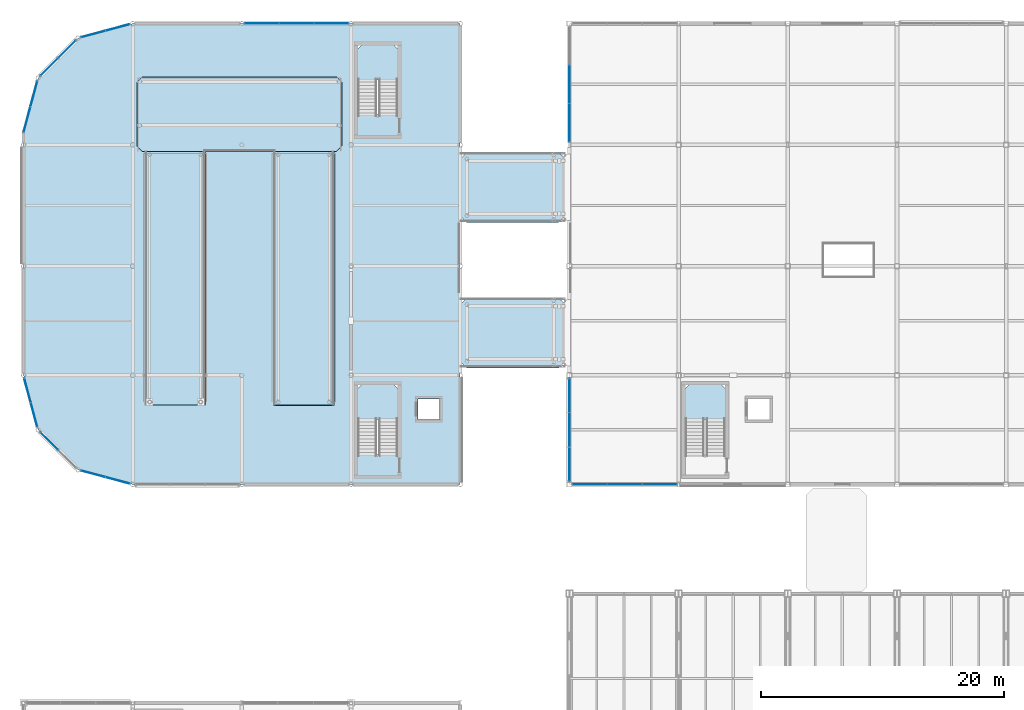
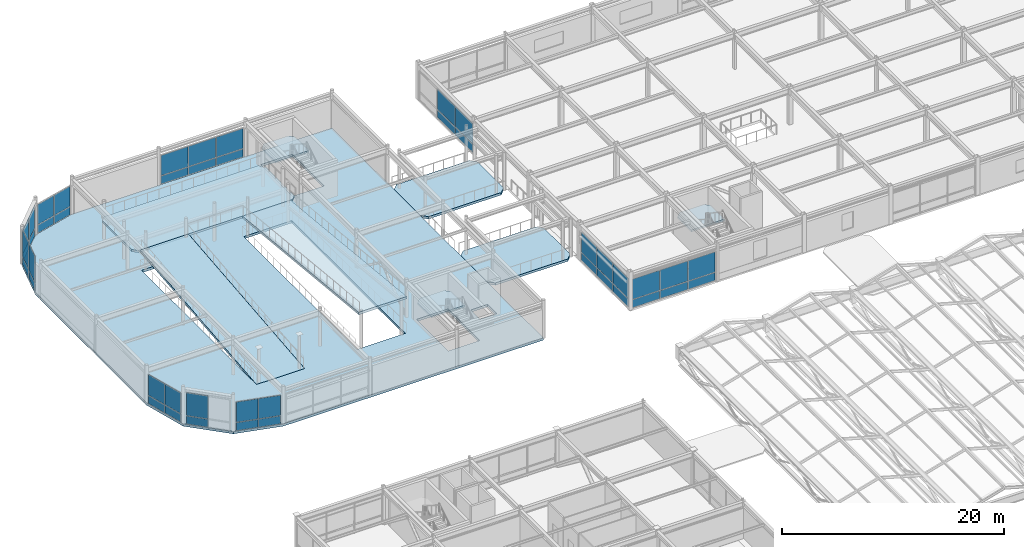
# One storey, part 65 of 108: 44 plates, 9 slabs, 13 elements without a shape of their own.
"""IFC4 building model written with IfcOpenShell, lengths in metres."""

from ifc_helpers import new_model, si_unit, direction, frame, origin, origin_2d, place, context, subcontext, project, spatial, polyline, rectangle, outline, extrude, material, layer, layer_set, type_object, element, aggregate, save


model = new_model("IFC4")

# Units and contexts
model_context = context("Model", 3, precision=1e-05, world=origin(), true_north=direction((0.0, 1.0)))
body_context = subcontext(model_context, "Body", "Model", "MODEL_VIEW")
ifc_project = project(units=[si_unit("LENGTHUNIT", "METRE"), si_unit("AREAUNIT", "SQUARE_METRE"), si_unit("VOLUMEUNIT", "CUBIC_METRE"), si_unit("PLANEANGLEUNIT", "RADIAN"), si_unit("MASSUNIT", "GRAM", prefix="KILO")], contexts=[model_context])

# Site, building, storey
site_placement = place(None, origin())
site = spatial("IfcSite", under=ifc_project, at=site_placement, CompositionType="ELEMENT")
building_placement = place(site_placement, origin())
building = spatial("IfcBuilding", under=site, at=building_placement, Name="Suzunagisa Mobility Hub", CompositionType="ELEMENT")
storey_placement = place(building_placement, frame((0.0, 0.0, 9.300048828125)))
storey = spatial("IfcBuildingStorey", under=building, at=storey_placement, Name="L02", CompositionType="ELEMENT", Elevation=9.300048828125)

# Slabs
ifc_material_1 = material(Name="Concrete C35/45", Category="concrete")
ifc_layer_1 = layer(ifc_material_1, 0.260009765625)
ifc_layer_set_1 = layer_set([ifc_layer_1], Name="Concrete C35/45")
slab_type_1 = type_object("IfcSlabType", Name="Composite Slab SL-12 260mm", PredefinedType="FLOOR", material=ifc_layer_set_1)
slab_1_placement = place(storey_placement, frame((0.0, 0.0, -0.260009765625)))
element("IfcSlab", 1, at=slab_1_placement, inside=storey, type_object=slab_type_1, Name="L02 V2 Floor Slab", PredefinedType="FLOOR", context=body_context, shape_type="SweptSolid", body=[
    extrude(outline(polyline([(0.0, 89.0), (1.205810546875, 84.5), (4.5, 81.205810546875), (9.0, 80.0), (36.0, 80.0), (36.0, 118.0), (9.0, 118.0), (4.5, 116.794189453125), (1.205810546875, 113.5), (0.0, 109.0), (0.0, 89.0)]), holes=[polyline([(27.56005859375, 82.47998046875), (30.840087890625, 82.47998046875), (30.840087890625, 88.199951171875), (27.56005859375, 88.199951171875), (27.56005859375, 82.47998046875)]), polyline([(32.52001953125, 85.3701171875), (34.280029296875, 85.3701171875), (34.280029296875, 87.030029296875), (32.52001953125, 87.030029296875), (32.52001953125, 85.3701171875)]), polyline([(27.56005859375, 110.47998046875), (30.840087890625, 110.47998046875), (30.840087890625, 116.199951171875), (27.56005859375, 116.199951171875), (27.56005859375, 110.47998046875)]), polyline([(10.0, 86.800048828125), (15.0, 86.800048828125), (15.0, 107.199951171875), (10.0, 107.199951171875), (10.0, 86.800048828125)]), polyline([(20.60009765625, 86.800048828125), (25.60009765625, 86.800048828125), (25.60009765625, 107.199951171875), (20.60009765625, 107.199951171875), (20.60009765625, 86.800048828125)])]), origin(), (0.0, 0.0, 1.0), 0.260009765625),
])
slab_2_placement = place(storey_placement, frame((0.0, 0.0, -0.260009765625)))
element("IfcSlab", 2, at=slab_2_placement, inside=storey, type_object=slab_type_1, Name="L02 Bridge Deck VRL-L02-S", PredefinedType="FLOOR", context=body_context, shape_type="SweptSolid", body=[
    extrude(outline(polyline([(36.550048828125, 89.60009765625), (44.10009765625, 89.60009765625), (44.64990234375, 90.14990234375), (44.64990234375, 94.85009765625), (44.10009765625, 95.39990234375), (36.550048828125, 95.39990234375), (36.0, 94.85009765625), (36.0, 90.14990234375), (36.550048828125, 89.60009765625)])), origin(), (0.0, 0.0, 1.0), 0.260009765625),
])
slab_3_placement = place(storey_placement, frame((0.0, 0.0, -0.260009765625)))
element("IfcSlab", 3, at=slab_3_placement, inside=storey, type_object=slab_type_1, Name="L02 Bridge Deck VRL-L02-N", PredefinedType="FLOOR", context=body_context, shape_type="SweptSolid", body=[
    extrude(outline(polyline([(36.550048828125, 101.60009765625), (44.10009765625, 101.60009765625), (44.64990234375, 102.14990234375), (44.64990234375, 106.85009765625), (44.10009765625, 107.39990234375), (36.550048828125, 107.39990234375), (36.0, 106.85009765625), (36.0, 102.14990234375), (36.550048828125, 101.60009765625)])), origin(), (0.0, 0.0, 1.0), 0.260009765625),
])
ifc_layer_2 = layer(ifc_material_1, 0.25)
ifc_layer_set_2 = layer_set([ifc_layer_2], Name="Concrete C35/45")
slab_type_2 = type_object("IfcSlabType", Name="Composite Slab SL-13 250mm", PredefinedType="FLOOR", material=ifc_layer_set_2)
slab_4_placement = place(storey_placement, frame((0.0, 0.0, 1.849853515625)))
element("IfcSlab", 4, at=slab_4_placement, inside=storey, type_object=slab_type_2, Name="L02 Vehicle Ramp Turn Deck VR-05-L1", PredefinedType="FLOOR", context=body_context, shape_type="SweptSolid", body=[
    extrude(outline(polyline([(9.800048828125, 107.449951171875), (25.800048828125, 107.449951171875), (26.25, 107.89990234375), (26.25, 113.14990234375), (25.800048828125, 113.60009765625), (9.800048828125, 113.60009765625), (9.35009765625, 113.14990234375), (9.35009765625, 107.89990234375), (9.800048828125, 107.449951171875)])), origin(), (0.0, 0.0, 1.0), 0.25),
])
ifc_layer_3 = layer(ifc_material_1, 0.25)
ifc_layer_set_3 = layer_set([ifc_layer_3], Name="Concrete C35/45")
slab_type_3 = type_object("IfcSlabType", Name="Composite Slab SL-19 250mm", PredefinedType="FLOOR", material=ifc_layer_set_3)
slab_5_placement = place(storey_placement, frame((10.0, 86.550048828125, 0.0), z_axis=(0.0, -0.099968624446, 0.994990589969), x_axis=(1.0, 0.0, 0.0)))
element("IfcSlab", 5, at=slab_5_placement, inside=storey, type_object=slab_type_3, Name="L02 Vehicle Ramp Slab VR-05-F1", PredefinedType="FLOOR", context=body_context, shape_type="SweptSolid", body=[
    extrude(outline(polyline([(0.0, 0.0), (5.0, 0.0), (5.0, 21.005125630792342), (0.0, 21.005125630792342), (0.0, 0.0)])), origin(), (0.0, 0.0, -1.0), 0.25),
])
slab_6_placement = place(storey_placement, frame((20.60009765625, 107.449951171875, 2.099853515625), z_axis=(0.0, 0.099980131177, 0.994989433798), x_axis=(1.0, 0.0, 0.0)))
element("IfcSlab", 6, at=slab_6_placement, inside=storey, type_object=slab_type_3, Name="L02 Vehicle Ramp Slab VR-05-F2", PredefinedType="FLOOR", context=body_context, shape_type="SweptSolid", body=[
    extrude(outline(polyline([(0.0, 0.0), (5.0, 0.0), (5.0, -21.005150038599428), (0.0, -21.005150038599428), (0.0, 0.0)])), origin(), (0.0, 0.0, -1.0), 0.25),
])

# Stair, slab
stair_type_1 = type_object("IfcStairType", Name="Dog-Leg Core Escape Stair ST-05 W1560", PredefinedType="HALF_TURN_STAIR", material=ifc_material_1)
stair_1_placement = place(storey_placement, origin())
stair_1 = element("IfcStair", 7, at=stair_1_placement, inside=storey, type_object=stair_type_1, Name="L02 Core C6 Escape Stair ST-05", PredefinedType="HALF_TURN_STAIR")
ifc_layer_4 = layer(ifc_material_1, 0.199951171875)
ifc_layer_set_4 = layer_set([ifc_layer_4], Name="Concrete C35/45")
slab_type_4 = type_object("IfcSlabType", Name="Core Stair Half-Landing Slab SL-SLND", PredefinedType="LANDING", material=ifc_layer_set_4)
slab_7_placement = place(storey_placement, frame((0.0, 0.0, 1.89990234375)))
slab_7 = element("IfcSlab", 8, at=slab_7_placement, type_object=slab_type_4, Name="ST-05 landing 1", PredefinedType="LANDING", context=body_context, shape_type="SweptSolid", body=[
    extrude(outline(polyline([(27.4599609375, 85.360107421875), (30.93994140625, 85.360107421875), (30.93994140625, 87.820068359375), (30.4599609375, 88.300048828125), (27.93994140625, 88.300048828125), (27.4599609375, 87.820068359375), (27.4599609375, 85.360107421875)])), origin(), (0.0, 0.0, 1.0), 0.199951171875),
])
aggregate(stair_1, [slab_7])

stair_type_2 = type_object("IfcStairType", Name="Dog-Leg Core Escape Stair ST-06 W1560", PredefinedType="HALF_TURN_STAIR", material=ifc_material_1)
stair_2_placement = place(storey_placement, origin())
stair_2 = element("IfcStair", 9, at=stair_2_placement, inside=storey, type_object=stair_type_2, Name="L02 Core C6B Escape Stair ST-06", PredefinedType="HALF_TURN_STAIR")
slab_8_placement = place(storey_placement, frame((0.0, 0.0, 1.89990234375)))
slab_8 = element("IfcSlab", 10, at=slab_8_placement, type_object=slab_type_4, Name="ST-06 landing 1", PredefinedType="LANDING", context=body_context, shape_type="SweptSolid", body=[
    extrude(outline(polyline([(27.4599609375, 113.360107421875), (30.93994140625, 113.360107421875), (30.93994140625, 115.820068359375), (30.4599609375, 116.300048828125), (27.93994140625, 116.300048828125), (27.4599609375, 115.820068359375), (27.4599609375, 113.360107421875)])), origin(), (0.0, 0.0, 1.0), 0.199951171875),
])
aggregate(stair_2, [slab_8])

stair_type_3 = type_object("IfcStairType", Name="Dog-Leg Core Escape Stair ST-07 W1560", PredefinedType="HALF_TURN_STAIR", material=ifc_material_1)
stair_3_placement = place(storey_placement, origin())
stair_3 = element("IfcStair", 11, at=stair_3_placement, inside=storey, type_object=stair_type_3, Name="L02 Core C3 Escape Stair ST-07", PredefinedType="HALF_TURN_STAIR")
slab_9_placement = place(storey_placement, frame((0.0, 0.0, 1.89990234375)))
slab_9 = element("IfcSlab", 12, at=slab_9_placement, type_object=slab_type_4, Name="ST-07 landing 1", PredefinedType="LANDING", context=body_context, shape_type="SweptSolid", body=[
    extrude(outline(polyline([(54.4599609375, 85.360107421875), (57.93994140625, 85.360107421875), (57.93994140625, 87.820068359375), (57.4599609375, 88.300048828125), (54.93994140625, 88.300048828125), (54.4599609375, 87.820068359375), (54.4599609375, 85.360107421875)])), origin(), (0.0, 0.0, 1.0), 0.199951171875),
])
aggregate(stair_3, [slab_9])

# Curtain wall, plates
ifc_material_2 = material(Name="Thermally Broken Anodized Aluminum and Low-E Glazing", Category="aluminium")
curtain_wall_type_1 = type_object("IfcCurtainWallType", Name="Unitised Curtain Wall CW-06 4250x3300", PredefinedType="USERDEFINED", material=ifc_material_2)
curtain_wall_1_placement = place(storey_placement, origin())
curtain_wall_1 = element("IfcCurtainWall", 13, at=curtain_wall_1_placement, inside=storey, type_object=curtain_wall_type_1, Name="L02 Unitised Curtain Wall CW-63", ObjectType="UNITISED CURTAIN WALL", PredefinedType="USERDEFINED")
ifc_material_3 = material(Name="Low-E Solar-Control Double Glazing", Category="glass")
ifc_layer_5 = layer(ifc_material_3, 0.028076171875)
ifc_layer_set_5 = layer_set([ifc_layer_5], Name="Low-E Solar-Control Double Glazing")
plate_type = type_object("IfcPlateType", Name="Low-E Double Glazed Curtain Panel GP-01 28mm", PredefinedType="CURTAIN_PANEL", material=ifc_layer_set_5)
plate_1_placement = place(storey_placement, frame((0.33349609375, 87.75537109375, 0.05810546875), z_axis=(0.0, 0.0, 1.0), x_axis=(0.258803152984, -0.965930084429, 0.0)))
plate_1 = element("IfcPlate", 14, at=plate_1_placement, type_object=plate_type, Name="Curtain Wall Glazing Panel 63-P1.1", PredefinedType="CURTAIN_PANEL", context=body_context, shape_type="SweptSolid", body=[
    extrude(rectangle(XDim=2.025634765625, YDim=0.028076171875, at=origin_2d()), origin(), (0.0, 0.0, 1.0), 0.864013671875),
])
plate_2_placement = place(storey_placement, frame((0.33349609375, 87.75537109375, 0.97802734375), z_axis=(0.0, 0.0, 1.0), x_axis=(0.258803152984, -0.965930084429, 0.0)))
plate_2 = element("IfcPlate", 15, at=plate_2_placement, type_object=plate_type, Name="Curtain Wall Glazing Panel 63-P1.2", PredefinedType="CURTAIN_PANEL", context=body_context, shape_type="SweptSolid", body=[
    extrude(rectangle(XDim=2.025634765625, YDim=0.028076171875, at=origin_2d()), origin(), (0.0, 0.0, 1.0), 2.263916015625),
])
plate_3_placement = place(storey_placement, frame((0.872314453125, 85.74462890625, 0.05810546875), z_axis=(0.0, 0.0, 1.0), x_axis=(0.258803152984, -0.965930084429, 0.0)))
plate_3 = element("IfcPlate", 16, at=plate_3_placement, type_object=plate_type, Name="Curtain Wall Glazing Panel 63-P2.1", PredefinedType="CURTAIN_PANEL", context=body_context, shape_type="SweptSolid", body=[
    extrude(rectangle(XDim=2.025634765625, YDim=0.028076171875, at=origin_2d()), origin(), (0.0, 0.0, 1.0), 0.864013671875),
])
plate_4_placement = place(storey_placement, frame((0.872314453125, 85.74462890625, 0.97802734375), z_axis=(0.0, 0.0, 1.0), x_axis=(0.258803152984, -0.965930084429, 0.0)))
plate_4 = element("IfcPlate", 17, at=plate_4_placement, type_object=plate_type, Name="Curtain Wall Glazing Panel 63-P2.2", PredefinedType="CURTAIN_PANEL", context=body_context, shape_type="SweptSolid", body=[
    extrude(rectangle(XDim=2.025634765625, YDim=0.028076171875, at=origin_2d()), origin(), (0.0, 0.0, 1.0), 2.263916015625),
])
aggregate(curtain_wall_1, [plate_1, plate_2, plate_3, plate_4])

curtain_wall_type_2 = type_object("IfcCurtainWallType", Name="Unitised Curtain Wall CW-44 4250x3600", PredefinedType="USERDEFINED", material=ifc_material_2)
curtain_wall_2_placement = place(storey_placement, origin())
curtain_wall_2 = element("IfcCurtainWall", 18, at=curtain_wall_2_placement, inside=storey, type_object=curtain_wall_type_2, Name="L02 Unitised Curtain Wall CW-64", ObjectType="UNITISED CURTAIN WALL", PredefinedType="USERDEFINED")
plate_5_placement = place(storey_placement, frame((2.12890625, 83.576904296875, 0.05810546875), z_axis=(0.0, 0.0, 1.0), x_axis=(0.707106781187, -0.707106781187, 0.0)))
plate_5 = element("IfcPlate", 19, at=plate_5_placement, type_object=plate_type, Name="Curtain Wall Glazing Panel 64-P1.1", PredefinedType="CURTAIN_PANEL", context=body_context, shape_type="SweptSolid", body=[
    extrude(rectangle(XDim=1.991943359375, YDim=0.028076171875, at=origin_2d()), origin(), (0.0, 0.0, 1.0), 0.864013671875),
])
plate_6_placement = place(storey_placement, frame((2.12890625, 83.576904296875, 0.97802734375), z_axis=(0.0, 0.0, 1.0), x_axis=(0.707106781187, -0.707106781187, 0.0)))
plate_6 = element("IfcPlate", 20, at=plate_6_placement, type_object=plate_type, Name="Curtain Wall Glazing Panel 64-P1.2", PredefinedType="CURTAIN_PANEL", context=body_context, shape_type="SweptSolid", body=[
    extrude(rectangle(XDim=1.991943359375, YDim=0.028076171875, at=origin_2d()), origin(), (0.0, 0.0, 1.0), 2.513916015625),
])
aggregate(curtain_wall_2, [plate_5, plate_6])

curtain_wall_type_3 = type_object("IfcCurtainWallType", Name="Unitised Curtain Wall CW-01 4250x3200", PredefinedType="USERDEFINED", material=ifc_material_2)
curtain_wall_3_placement = place(storey_placement, origin())
curtain_wall_3 = element("IfcCurtainWall", 21, at=curtain_wall_3_placement, inside=storey, type_object=curtain_wall_type_3, Name="L02 Unitised Curtain Wall CW-65", ObjectType="UNITISED CURTAIN WALL", PredefinedType="USERDEFINED")
plate_7_placement = place(storey_placement, frame((5.74462890625, 80.872314453125, 0.05810546875), z_axis=(0.0, 0.0, 1.0), x_axis=(0.965930084429, -0.258803152984, 0.0)))
plate_7 = element("IfcPlate", 22, at=plate_7_placement, type_object=plate_type, Name="Curtain Wall Glazing Panel 65-P1.1", PredefinedType="CURTAIN_PANEL", context=body_context, shape_type="SweptSolid", body=[
    extrude(rectangle(XDim=2.025634765625, YDim=0.028076171875, at=origin_2d()), origin(), (0.0, 0.0, 1.0), 0.864013671875),
])
plate_8_placement = place(storey_placement, frame((5.74462890625, 80.872314453125, 0.97802734375), z_axis=(0.0, 0.0, 1.0), x_axis=(0.965930084429, -0.258803152984, 0.0)))
plate_8 = element("IfcPlate", 23, at=plate_8_placement, type_object=plate_type, Name="Curtain Wall Glazing Panel 65-P1.2", PredefinedType="CURTAIN_PANEL", context=body_context, shape_type="SweptSolid", body=[
    extrude(rectangle(XDim=2.025634765625, YDim=0.028076171875, at=origin_2d()), origin(), (0.0, 0.0, 1.0), 2.214111328125),
])
plate_9_placement = place(storey_placement, frame((7.75537109375, 80.33349609375, 0.05810546875), z_axis=(0.0, 0.0, 1.0), x_axis=(0.965930084429, -0.258803152984, 0.0)))
plate_9 = element("IfcPlate", 24, at=plate_9_placement, type_object=plate_type, Name="Curtain Wall Glazing Panel 65-P2.1", PredefinedType="CURTAIN_PANEL", context=body_context, shape_type="SweptSolid", body=[
    extrude(rectangle(XDim=2.025634765625, YDim=0.028076171875, at=origin_2d()), origin(), (0.0, 0.0, 1.0), 0.864013671875),
])
plate_10_placement = place(storey_placement, frame((7.75537109375, 80.33349609375, 0.97802734375), z_axis=(0.0, 0.0, 1.0), x_axis=(0.965930084429, -0.258803152984, 0.0)))
plate_10 = element("IfcPlate", 25, at=plate_10_placement, type_object=plate_type, Name="Curtain Wall Glazing Panel 65-P2.2", PredefinedType="CURTAIN_PANEL", context=body_context, shape_type="SweptSolid", body=[
    extrude(rectangle(XDim=2.025634765625, YDim=0.028076171875, at=origin_2d()), origin(), (0.0, 0.0, 1.0), 2.214111328125),
])
aggregate(curtain_wall_3, [plate_7, plate_8, plate_9, plate_10])

curtain_wall_type_4 = type_object("IfcCurtainWallType", Name="Unitised Curtain Wall CW-13 8750x3200", PredefinedType="USERDEFINED", material=ifc_material_2)
curtain_wall_4_placement = place(storey_placement, origin())
curtain_wall_4 = element("IfcCurtainWall", 26, at=curtain_wall_4_placement, inside=storey, type_object=curtain_wall_type_4, Name="L02 Unitised Curtain Wall CW-67", ObjectType="UNITISED CURTAIN WALL", PredefinedType="USERDEFINED")
plate_11_placement = place(storey_placement, frame((25.366455078125, 118.0, 0.06298828125), z_axis=(0.0, 0.0, 1.0), x_axis=(-1.0, 0.0, 0.0)))
plate_11 = element("IfcPlate", 27, at=plate_11_placement, type_object=plate_type, Name="Curtain Wall Glazing Panel 67-P1.1", PredefinedType="CURTAIN_PANEL", context=body_context, shape_type="SweptSolid", body=[
    extrude(rectangle(XDim=2.79541015625, YDim=0.028076171875, at=origin_2d()), origin(), (0.0, 0.0, 1.0), 0.8564453125),
])
plate_12_placement = place(storey_placement, frame((25.366455078125, 118.0, 0.98046875), z_axis=(0.0, 0.0, 1.0), x_axis=(-1.0, 0.0, 0.0)))
plate_12 = element("IfcPlate", 28, at=plate_12_placement, type_object=plate_type, Name="Curtain Wall Glazing Panel 67-P1.2", PredefinedType="CURTAIN_PANEL", context=body_context, shape_type="SweptSolid", body=[
    extrude(rectangle(XDim=2.79541015625, YDim=0.028076171875, at=origin_2d()), origin(), (0.0, 0.0, 1.0), 2.20654296875),
])
plate_13_placement = place(storey_placement, frame((22.5, 118.0, 0.06298828125), z_axis=(0.0, 0.0, 1.0), x_axis=(-1.0, 0.0, 0.0)))
plate_13 = element("IfcPlate", 29, at=plate_13_placement, type_object=plate_type, Name="Curtain Wall Glazing Panel 67-P2.1", PredefinedType="CURTAIN_PANEL", context=body_context, shape_type="SweptSolid", body=[
    extrude(rectangle(XDim=2.825439453125, YDim=0.028076171875, at=origin_2d()), origin(), (0.0, 0.0, 1.0), 0.8564453125),
])
plate_14_placement = place(storey_placement, frame((22.5, 118.0, 0.98046875), z_axis=(0.0, 0.0, 1.0), x_axis=(-1.0, 0.0, 0.0)))
plate_14 = element("IfcPlate", 30, at=plate_14_placement, type_object=plate_type, Name="Curtain Wall Glazing Panel 67-P2.2", PredefinedType="CURTAIN_PANEL", context=body_context, shape_type="SweptSolid", body=[
    extrude(rectangle(XDim=2.825439453125, YDim=0.028076171875, at=origin_2d()), origin(), (0.0, 0.0, 1.0), 2.20654296875),
])
plate_15_placement = place(storey_placement, frame((19.633544921875, 118.0, 0.06298828125), z_axis=(0.0, 0.0, 1.0), x_axis=(-1.0, 0.0, 0.0)))
plate_15 = element("IfcPlate", 31, at=plate_15_placement, type_object=plate_type, Name="Curtain Wall Glazing Panel 67-P3.1", PredefinedType="CURTAIN_PANEL", context=body_context, shape_type="SweptSolid", body=[
    extrude(rectangle(XDim=2.79541015625, YDim=0.028076171875, at=origin_2d()), origin(), (0.0, 0.0, 1.0), 0.8564453125),
])
plate_16_placement = place(storey_placement, frame((19.633544921875, 118.0, 0.98046875), z_axis=(0.0, 0.0, 1.0), x_axis=(-1.0, 0.0, 0.0)))
plate_16 = element("IfcPlate", 32, at=plate_16_placement, type_object=plate_type, Name="Curtain Wall Glazing Panel 67-P3.2", PredefinedType="CURTAIN_PANEL", context=body_context, shape_type="SweptSolid", body=[
    extrude(rectangle(XDim=2.79541015625, YDim=0.028076171875, at=origin_2d()), origin(), (0.0, 0.0, 1.0), 2.20654296875),
])
aggregate(curtain_wall_4, [plate_11, plate_12, plate_13, plate_14, plate_15, plate_16])

curtain_wall_5_placement = place(storey_placement, origin())
curtain_wall_5 = element("IfcCurtainWall", 33, at=curtain_wall_5_placement, inside=storey, type_object=curtain_wall_type_3, Name="L02 Unitised Curtain Wall CW-68", ObjectType="UNITISED CURTAIN WALL", PredefinedType="USERDEFINED")
plate_17_placement = place(storey_placement, frame((7.75537109375, 117.66650390625, 0.05810546875), z_axis=(0.0, 0.0, 1.0), x_axis=(-0.965930084429, -0.258803152984, 0.0)))
plate_17 = element("IfcPlate", 34, at=plate_17_placement, type_object=plate_type, Name="Curtain Wall Glazing Panel 68-P1.1", PredefinedType="CURTAIN_PANEL", context=body_context, shape_type="SweptSolid", body=[
    extrude(rectangle(XDim=2.025634765625, YDim=0.028076171875, at=origin_2d()), origin(), (0.0, 0.0, 1.0), 0.864013671875),
])
plate_18_placement = place(storey_placement, frame((7.75537109375, 117.66650390625, 0.97802734375), z_axis=(0.0, 0.0, 1.0), x_axis=(-0.965930084429, -0.258803152984, 0.0)))
plate_18 = element("IfcPlate", 35, at=plate_18_placement, type_object=plate_type, Name="Curtain Wall Glazing Panel 68-P1.2", PredefinedType="CURTAIN_PANEL", context=body_context, shape_type="SweptSolid", body=[
    extrude(rectangle(XDim=2.025634765625, YDim=0.028076171875, at=origin_2d()), origin(), (0.0, 0.0, 1.0), 2.214111328125),
])
plate_19_placement = place(storey_placement, frame((5.74462890625, 117.127685546875, 0.05810546875), z_axis=(0.0, 0.0, 1.0), x_axis=(-0.965930084429, -0.258803152984, 0.0)))
plate_19 = element("IfcPlate", 36, at=plate_19_placement, type_object=plate_type, Name="Curtain Wall Glazing Panel 68-P2.1", PredefinedType="CURTAIN_PANEL", context=body_context, shape_type="SweptSolid", body=[
    extrude(rectangle(XDim=2.025634765625, YDim=0.028076171875, at=origin_2d()), origin(), (0.0, 0.0, 1.0), 0.864013671875),
])
plate_20_placement = place(storey_placement, frame((5.74462890625, 117.127685546875, 0.97802734375), z_axis=(0.0, 0.0, 1.0), x_axis=(-0.965930084429, -0.258803152984, 0.0)))
plate_20 = element("IfcPlate", 37, at=plate_20_placement, type_object=plate_type, Name="Curtain Wall Glazing Panel 68-P2.2", PredefinedType="CURTAIN_PANEL", context=body_context, shape_type="SweptSolid", body=[
    extrude(rectangle(XDim=2.025634765625, YDim=0.028076171875, at=origin_2d()), origin(), (0.0, 0.0, 1.0), 2.214111328125),
])
aggregate(curtain_wall_5, [plate_17, plate_18, plate_19, plate_20])

curtain_wall_6_placement = place(storey_placement, origin())
curtain_wall_6 = element("IfcCurtainWall", 38, at=curtain_wall_6_placement, inside=storey, type_object=curtain_wall_type_2, Name="L02 Unitised Curtain Wall CW-69", ObjectType="UNITISED CURTAIN WALL", PredefinedType="USERDEFINED")
plate_21_placement = place(storey_placement, frame((3.576904296875, 115.87109375, 0.05810546875), z_axis=(0.0, 0.0, 1.0), x_axis=(-0.707106781187, -0.707106781187, 0.0)))
plate_21 = element("IfcPlate", 39, at=plate_21_placement, type_object=plate_type, Name="Curtain Wall Glazing Panel 69-P1.1", PredefinedType="CURTAIN_PANEL", context=body_context, shape_type="SweptSolid", body=[
    extrude(rectangle(XDim=1.991943359375, YDim=0.028076171875, at=origin_2d()), origin(), (0.0, 0.0, 1.0), 0.864013671875),
])
plate_22_placement = place(storey_placement, frame((3.576904296875, 115.87109375, 0.97802734375), z_axis=(0.0, 0.0, 1.0), x_axis=(-0.707106781187, -0.707106781187, 0.0)))
plate_22 = element("IfcPlate", 40, at=plate_22_placement, type_object=plate_type, Name="Curtain Wall Glazing Panel 69-P1.2", PredefinedType="CURTAIN_PANEL", context=body_context, shape_type="SweptSolid", body=[
    extrude(rectangle(XDim=1.991943359375, YDim=0.028076171875, at=origin_2d()), origin(), (0.0, 0.0, 1.0), 2.513916015625),
])
plate_23_placement = place(storey_placement, frame((2.12890625, 114.423095703125, 0.05810546875), z_axis=(0.0, 0.0, 1.0), x_axis=(-0.707106781187, -0.707106781187, 0.0)))
plate_23 = element("IfcPlate", 41, at=plate_23_placement, type_object=plate_type, Name="Curtain Wall Glazing Panel 69-P2.1", PredefinedType="CURTAIN_PANEL", context=body_context, shape_type="SweptSolid", body=[
    extrude(rectangle(XDim=1.991943359375, YDim=0.028076171875, at=origin_2d()), origin(), (0.0, 0.0, 1.0), 0.864013671875),
])
plate_24_placement = place(storey_placement, frame((2.12890625, 114.423095703125, 0.97802734375), z_axis=(0.0, 0.0, 1.0), x_axis=(-0.707106781187, -0.707106781187, 0.0)))
plate_24 = element("IfcPlate", 42, at=plate_24_placement, type_object=plate_type, Name="Curtain Wall Glazing Panel 69-P2.2", PredefinedType="CURTAIN_PANEL", context=body_context, shape_type="SweptSolid", body=[
    extrude(rectangle(XDim=1.991943359375, YDim=0.028076171875, at=origin_2d()), origin(), (0.0, 0.0, 1.0), 2.513916015625),
])
aggregate(curtain_wall_6, [plate_21, plate_22, plate_23, plate_24])

curtain_wall_type_5 = type_object("IfcCurtainWallType", Name="Unitised Curtain Wall CW-42 4500x4000", PredefinedType="USERDEFINED", material=ifc_material_2)
curtain_wall_7_placement = place(storey_placement, origin())
curtain_wall_7 = element("IfcCurtainWall", 43, at=curtain_wall_7_placement, inside=storey, type_object=curtain_wall_type_5, Name="L02 Unitised Curtain Wall CW-70", ObjectType="UNITISED CURTAIN WALL", PredefinedType="USERDEFINED")
plate_25_placement = place(storey_placement, frame((0.858154296875, 112.202880859375, 0.05810546875), z_axis=(0.0, 0.0, 1.0), x_axis=(-0.258814496501, -0.965927045072, 0.0)))
plate_25 = element("IfcPlate", 44, at=plate_25_placement, type_object=plate_type, Name="Curtain Wall Glazing Panel 70-P1.1", PredefinedType="CURTAIN_PANEL", context=body_context, shape_type="SweptSolid", body=[
    extrude(rectangle(XDim=2.134521484375, YDim=0.028076171875, at=origin_2d()), origin(), (0.0, 0.0, 1.0), 0.864013671875),
])
plate_26_placement = place(storey_placement, frame((0.858154296875, 112.202880859375, 0.97802734375), z_axis=(0.0, 0.0, 1.0), x_axis=(-0.258814496501, -0.965927045072, 0.0)))
plate_26 = element("IfcPlate", 45, at=plate_26_placement, type_object=plate_type, Name="Curtain Wall Glazing Panel 70-P1.2", PredefinedType="CURTAIN_PANEL", context=body_context, shape_type="SweptSolid", body=[
    extrude(rectangle(XDim=2.134521484375, YDim=0.028076171875, at=origin_2d()), origin(), (0.0, 0.0, 1.0), 2.9140625),
])
plate_27_placement = place(storey_placement, frame((0.291259765625, 110.0869140625, 0.05810546875), z_axis=(0.0, 0.0, 1.0), x_axis=(-0.258814496501, -0.965927045072, 0.0)))
plate_27 = element("IfcPlate", 46, at=plate_27_placement, type_object=plate_type, Name="Curtain Wall Glazing Panel 70-P2.1", PredefinedType="CURTAIN_PANEL", context=body_context, shape_type="SweptSolid", body=[
    extrude(rectangle(XDim=2.134521484375, YDim=0.028076171875, at=origin_2d()), origin(), (0.0, 0.0, 1.0), 0.864013671875),
])
plate_28_placement = place(storey_placement, frame((0.291259765625, 110.0869140625, 0.97802734375), z_axis=(0.0, 0.0, 1.0), x_axis=(-0.258814496501, -0.965927045072, 0.0)))
plate_28 = element("IfcPlate", 47, at=plate_28_placement, type_object=plate_type, Name="Curtain Wall Glazing Panel 70-P2.2", PredefinedType="CURTAIN_PANEL", context=body_context, shape_type="SweptSolid", body=[
    extrude(rectangle(XDim=2.134521484375, YDim=0.028076171875, at=origin_2d()), origin(), (0.0, 0.0, 1.0), 2.9140625),
])
aggregate(curtain_wall_7, [plate_25, plate_26, plate_27, plate_28])

curtain_wall_8_placement = place(storey_placement, origin())
curtain_wall_8 = element("IfcCurtainWall", 48, at=curtain_wall_8_placement, inside=storey, type_object=curtain_wall_type_4, Name="L02 Unitised Curtain Wall CW-109", ObjectType="UNITISED CURTAIN WALL", PredefinedType="USERDEFINED")
plate_29_placement = place(storey_placement, frame((46.6650390625, 80.0, 0.06298828125), z_axis=(0.0, 0.0, 1.0), x_axis=(1.0, 0.0, 0.0)))
plate_29 = element("IfcPlate", 49, at=plate_29_placement, type_object=plate_type, Name="Curtain Wall Glazing Panel 109-P1.1", PredefinedType="CURTAIN_PANEL", context=body_context, shape_type="SweptSolid", body=[
    extrude(rectangle(XDim=2.81396484375, YDim=0.028076171875, at=origin_2d()), origin(), (0.0, 0.0, 1.0), 0.8564453125),
])
plate_30_placement = place(storey_placement, frame((46.6650390625, 80.0, 0.98046875), z_axis=(0.0, 0.0, 1.0), x_axis=(1.0, 0.0, 0.0)))
plate_30 = element("IfcPlate", 50, at=plate_30_placement, type_object=plate_type, Name="Curtain Wall Glazing Panel 109-P1.2", PredefinedType="CURTAIN_PANEL", context=body_context, shape_type="SweptSolid", body=[
    extrude(rectangle(XDim=2.81396484375, YDim=0.028076171875, at=origin_2d()), origin(), (0.0, 0.0, 1.0), 2.20654296875),
])
plate_31_placement = place(storey_placement, frame((49.550048828125, 80.0, 0.06298828125), z_axis=(0.0, 0.0, 1.0), x_axis=(1.0, 0.0, 0.0)))
plate_31 = element("IfcPlate", 51, at=plate_31_placement, type_object=plate_type, Name="Curtain Wall Glazing Panel 109-P2.1", PredefinedType="CURTAIN_PANEL", context=body_context, shape_type="SweptSolid", body=[
    extrude(rectangle(XDim=2.843994140625, YDim=0.028076171875, at=origin_2d()), origin(), (0.0, 0.0, 1.0), 0.8564453125),
])
plate_32_placement = place(storey_placement, frame((49.550048828125, 80.0, 0.98046875), z_axis=(0.0, 0.0, 1.0), x_axis=(1.0, 0.0, 0.0)))
plate_32 = element("IfcPlate", 52, at=plate_32_placement, type_object=plate_type, Name="Curtain Wall Glazing Panel 109-P2.2", PredefinedType="CURTAIN_PANEL", context=body_context, shape_type="SweptSolid", body=[
    extrude(rectangle(XDim=2.843994140625, YDim=0.028076171875, at=origin_2d()), origin(), (0.0, 0.0, 1.0), 2.20654296875),
])
plate_33_placement = place(storey_placement, frame((52.43505859375, 80.0, 0.06298828125), z_axis=(0.0, 0.0, 1.0), x_axis=(1.0, 0.0, 0.0)))
plate_33 = element("IfcPlate", 53, at=plate_33_placement, type_object=plate_type, Name="Curtain Wall Glazing Panel 109-P3.1", PredefinedType="CURTAIN_PANEL", context=body_context, shape_type="SweptSolid", body=[
    extrude(rectangle(XDim=2.81396484375, YDim=0.028076171875, at=origin_2d()), origin(), (0.0, 0.0, 1.0), 0.8564453125),
])
plate_34_placement = place(storey_placement, frame((52.43505859375, 80.0, 0.98046875), z_axis=(0.0, 0.0, 1.0), x_axis=(1.0, 0.0, 0.0)))
plate_34 = element("IfcPlate", 54, at=plate_34_placement, type_object=plate_type, Name="Curtain Wall Glazing Panel 109-P3.2", PredefinedType="CURTAIN_PANEL", context=body_context, shape_type="SweptSolid", body=[
    extrude(rectangle(XDim=2.81396484375, YDim=0.028076171875, at=origin_2d()), origin(), (0.0, 0.0, 1.0), 2.20654296875),
])
aggregate(curtain_wall_8, [plate_29, plate_30, plate_31, plate_32, plate_33, plate_34])

curtain_wall_type_6 = type_object("IfcCurtainWallType", Name="Unitised Curtain Wall CW-07 9500x3200", PredefinedType="USERDEFINED", material=ifc_material_2)
curtain_wall_9_placement = place(storey_placement, origin())
curtain_wall_9 = element("IfcCurtainWall", 55, at=curtain_wall_9_placement, inside=storey, type_object=curtain_wall_type_6, Name="L02 Unitised Curtain Wall CW-119", ObjectType="UNITISED CURTAIN WALL", PredefinedType="USERDEFINED")
plate_35_placement = place(storey_placement, frame((45.0, 113.0, 0.06298828125), z_axis=(0.0, 0.0, 1.0), x_axis=(0.0, -1.0, 0.0)))
plate_35 = element("IfcPlate", 56, at=plate_35_placement, type_object=plate_type, Name="Curtain Wall Glazing Panel 119-P2.1", PredefinedType="CURTAIN_PANEL", context=body_context, shape_type="SweptSolid", body=[
    extrude(rectangle(XDim=3.14404296875, YDim=0.028076171875, at=origin_2d()), origin(), (0.0, 0.0, 1.0), 0.8564453125),
])
plate_36_placement = place(storey_placement, frame((45.0, 113.0, 0.98046875), z_axis=(0.0, 0.0, 1.0), x_axis=(0.0, -1.0, 0.0)))
plate_36 = element("IfcPlate", 57, at=plate_36_placement, type_object=plate_type, Name="Curtain Wall Glazing Panel 119-P2.2", PredefinedType="CURTAIN_PANEL", context=body_context, shape_type="SweptSolid", body=[
    extrude(rectangle(XDim=3.14404296875, YDim=0.028076171875, at=origin_2d()), origin(), (0.0, 0.0, 1.0), 2.20654296875),
])
plate_37_placement = place(storey_placement, frame((45.0, 109.81494140625, 0.06298828125), z_axis=(0.0, 0.0, 1.0), x_axis=(0.0, -1.0, 0.0)))
plate_37 = element("IfcPlate", 58, at=plate_37_placement, type_object=plate_type, Name="Curtain Wall Glazing Panel 119-P3.1", PredefinedType="CURTAIN_PANEL", context=body_context, shape_type="SweptSolid", body=[
    extrude(rectangle(XDim=3.114013671875, YDim=0.028076171875, at=origin_2d()), origin(), (0.0, 0.0, 1.0), 0.8564453125),
])
plate_38_placement = place(storey_placement, frame((45.0, 109.81494140625, 0.98046875), z_axis=(0.0, 0.0, 1.0), x_axis=(0.0, -1.0, 0.0)))
plate_38 = element("IfcPlate", 59, at=plate_38_placement, type_object=plate_type, Name="Curtain Wall Glazing Panel 119-P3.2", PredefinedType="CURTAIN_PANEL", context=body_context, shape_type="SweptSolid", body=[
    extrude(rectangle(XDim=3.114013671875, YDim=0.028076171875, at=origin_2d()), origin(), (0.0, 0.0, 1.0), 2.20654296875),
])
aggregate(curtain_wall_9, [plate_35, plate_36, plate_37, plate_38])

curtain_wall_type_7 = type_object("IfcCurtainWallType", Name="Unitised Curtain Wall CW-18 8500x3200", PredefinedType="USERDEFINED", material=ifc_material_2)
curtain_wall_10_placement = place(storey_placement, origin())
curtain_wall_10 = element("IfcCurtainWall", 60, at=curtain_wall_10_placement, inside=storey, type_object=curtain_wall_type_7, Name="L02 Unitised Curtain Wall CW-120", ObjectType="UNITISED CURTAIN WALL", PredefinedType="USERDEFINED")
plate_39_placement = place(storey_placement, frame((45.0, 87.3515625, 0.06298828125), z_axis=(0.0, 0.0, 1.0), x_axis=(0.0, -1.0, 0.0)))
plate_39 = element("IfcPlate", 61, at=plate_39_placement, type_object=plate_type, Name="Curtain Wall Glazing Panel 120-P1.1", PredefinedType="CURTAIN_PANEL", context=body_context, shape_type="SweptSolid", body=[
    extrude(rectangle(XDim=2.78076171875, YDim=0.028076171875, at=origin_2d()), origin(), (0.0, 0.0, 1.0), 0.8564453125),
])
plate_40_placement = place(storey_placement, frame((45.0, 87.3515625, 0.98046875), z_axis=(0.0, 0.0, 1.0), x_axis=(0.0, -1.0, 0.0)))
plate_40 = element("IfcPlate", 62, at=plate_40_placement, type_object=plate_type, Name="Curtain Wall Glazing Panel 120-P1.2", PredefinedType="CURTAIN_PANEL", context=body_context, shape_type="SweptSolid", body=[
    extrude(rectangle(XDim=2.78076171875, YDim=0.028076171875, at=origin_2d()), origin(), (0.0, 0.0, 1.0), 2.20654296875),
])
plate_41_placement = place(storey_placement, frame((45.0, 84.5, 0.06298828125), z_axis=(0.0, 0.0, 1.0), x_axis=(0.0, -1.0, 0.0)))
plate_41 = element("IfcPlate", 63, at=plate_41_placement, type_object=plate_type, Name="Curtain Wall Glazing Panel 120-P2.1", PredefinedType="CURTAIN_PANEL", context=body_context, shape_type="SweptSolid", body=[
    extrude(rectangle(XDim=2.810546875, YDim=0.028076171875, at=origin_2d()), origin(), (0.0, 0.0, 1.0), 0.8564453125),
])
plate_42_placement = place(storey_placement, frame((45.0, 84.5, 0.98046875), z_axis=(0.0, 0.0, 1.0), x_axis=(0.0, -1.0, 0.0)))
plate_42 = element("IfcPlate", 64, at=plate_42_placement, type_object=plate_type, Name="Curtain Wall Glazing Panel 120-P2.2", PredefinedType="CURTAIN_PANEL", context=body_context, shape_type="SweptSolid", body=[
    extrude(rectangle(XDim=2.810546875, YDim=0.028076171875, at=origin_2d()), origin(), (0.0, 0.0, 1.0), 2.20654296875),
])
plate_43_placement = place(storey_placement, frame((45.0, 81.648193359375, 0.06298828125), z_axis=(0.0, 0.0, 1.0), x_axis=(0.0, -1.0, 0.0)))
plate_43 = element("IfcPlate", 65, at=plate_43_placement, type_object=plate_type, Name="Curtain Wall Glazing Panel 120-P3.1", PredefinedType="CURTAIN_PANEL", context=body_context, shape_type="SweptSolid", body=[
    extrude(rectangle(XDim=2.78076171875, YDim=0.028076171875, at=origin_2d()), origin(), (0.0, 0.0, 1.0), 0.8564453125),
])
plate_44_placement = place(storey_placement, frame((45.0, 81.648193359375, 0.98046875), z_axis=(0.0, 0.0, 1.0), x_axis=(0.0, -1.0, 0.0)))
plate_44 = element("IfcPlate", 66, at=plate_44_placement, type_object=plate_type, Name="Curtain Wall Glazing Panel 120-P3.2", PredefinedType="CURTAIN_PANEL", context=body_context, shape_type="SweptSolid", body=[
    extrude(rectangle(XDim=2.78076171875, YDim=0.028076171875, at=origin_2d()), origin(), (0.0, 0.0, 1.0), 2.20654296875),
])
aggregate(curtain_wall_10, [plate_39, plate_40, plate_41, plate_42, plate_43, plate_44])

save(model, "model.ifc")
